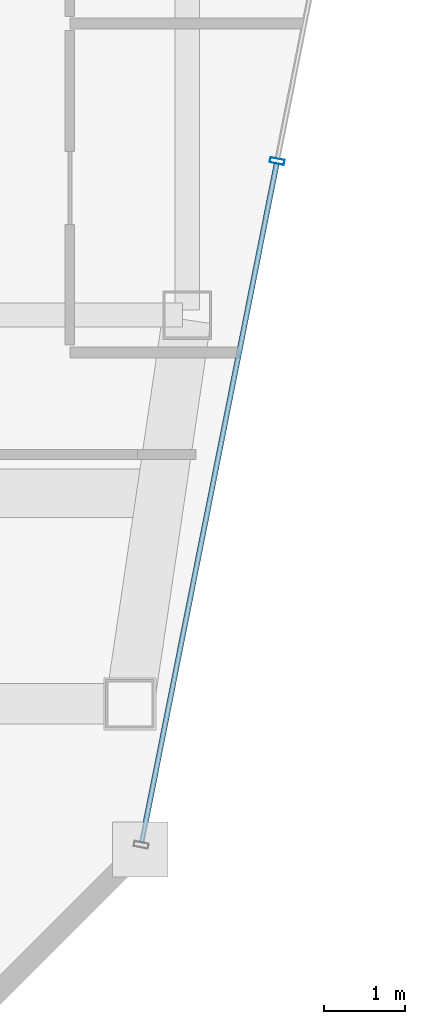
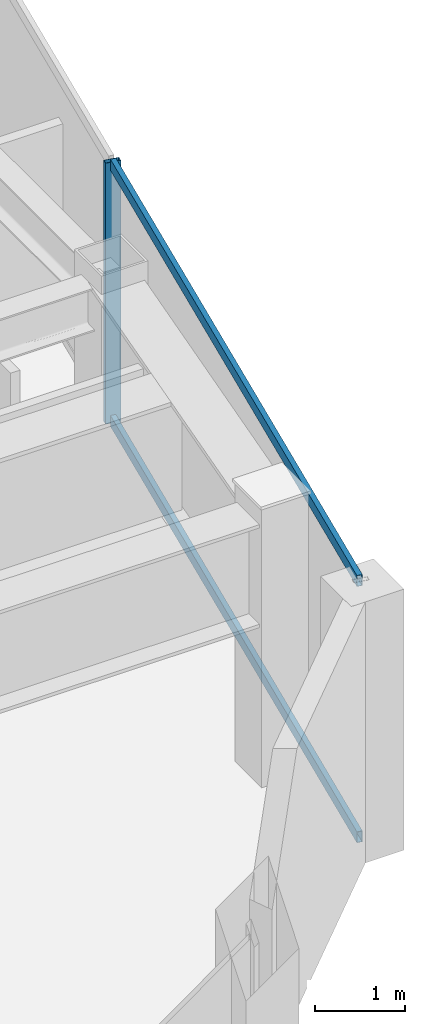
# One storey, part 15 of 24: 3 members, 1 element without a shape of its own.
"""IFC4 building model written with IfcOpenShell, lengths in metres."""

from ifc_helpers import new_model, si_unit, direction, frame, origin, origin_2d, place, context, subcontext, project, spatial, hollow_rectangle, extrude, material, material_profile, profile_set, type_object, element, aggregate, save


model = new_model("IFC4")

# Units and contexts
model_context = context("Model", 3, precision=1e-05, world=origin(), true_north=direction((0.0, 1.0)))
body_context = subcontext(model_context, "Body", "Model", "MODEL_VIEW")
ifc_project = project(units=[si_unit("LENGTHUNIT", "METRE"), si_unit("AREAUNIT", "SQUARE_METRE"), si_unit("VOLUMEUNIT", "CUBIC_METRE"), si_unit("PLANEANGLEUNIT", "RADIAN"), si_unit("MASSUNIT", "GRAM", prefix="KILO")], contexts=[model_context])

# Site, building, storey
site_placement = place(None, origin())
site = spatial("IfcSite", under=ifc_project, at=site_placement, CompositionType="ELEMENT")
building_placement = place(site_placement, origin())
building = spatial("IfcBuilding", under=site, at=building_placement, Name="Saevonmaru Cultural Tower", CompositionType="ELEMENT")
storey_placement = place(building_placement, frame((0.0, 0.0, 306.60009765625)))
storey = spatial("IfcBuildingStorey", under=building, at=storey_placement, Name="L73", CompositionType="ELEMENT", Elevation=306.60009765625)

# Curtain wall, members
ifc_material = material(Name="Satin Bronze Anodised Aluminium", Category="aluminium")
curtain_wall_type = type_object("IfcCurtainWallType", Name="CW-TYP-B", PredefinedType="NOTDEFINED", material=ifc_material)
curtain_wall_placement = place(storey_placement, origin())
curtain_wall = element("IfcCurtainWall", 1, at=curtain_wall_placement, inside=storey, type_object=curtain_wall_type, Name="L73 Unitised Curtain Wall E8", PredefinedType="NOTDEFINED")
ifc_material_profile_1 = material_profile(ifc_material, hollow_rectangle(XDim=0.06494140625, YDim=0.179931640625, WallThickness=0.00390625, at=origin_2d()), Name="ALU-MULL-180x65x4")
ifc_profile_set_1 = profile_set([ifc_material_profile_1], Name="Satin Bronze Anodised Aluminium")
member_type_1 = type_object("IfcMemberType", Name="ML-CW-180x65", PredefinedType="MULLION", material=ifc_profile_set_1)
member_1_placement = place(storey_placement, frame((54.31005859375, 44.300048828125, 0.0), z_axis=(0.0, 0.0, 1.0), x_axis=(0.195005484813, 0.980802151758, 0.0)))
member_1 = element("IfcMember", 2, at=member_1_placement, type_object=member_type_1, Name="CW-TW-L73-E8 mullion 2", PredefinedType="MULLION", context=body_context, shape_type="SweptSolid", body=[
    extrude(hollow_rectangle(XDim=0.06494140625, YDim=0.179931640625, WallThickness=0.00390625, at=origin_2d()), origin(), (0.0, 0.0, 1.0), 3.5498046875),
])
ifc_material_profile_2 = material_profile(ifc_material, hollow_rectangle(XDim=0.06494140625, YDim=0.14990234375, WallThickness=0.00390625, at=origin_2d()), Name="ALU-TRAN-150x65x4")
ifc_profile_set_2 = profile_set([ifc_material_profile_2], Name="Satin Bronze Anodised Aluminium")
member_type_2 = type_object("IfcMemberType", Name="TR-CW-150x65", PredefinedType="USERDEFINED", material=ifc_profile_set_2)
member_2_placement = place(storey_placement, frame((52.637939453125, 35.890625, 0.032470703125), z_axis=(0.195022161716, 0.980798835868, 0.0), x_axis=(-0.980798835868, 0.195022161716, 0.0)))
member_2 = element("IfcMember", 3, at=member_2_placement, type_object=member_type_2, Name="CW-TW-L73-E8 transom 1.1", ObjectType="TRANSOM", PredefinedType="USERDEFINED", context=body_context, shape_type="SweptSolid", body=[
    extrude(hollow_rectangle(XDim=0.06494140625, YDim=0.14990234375, WallThickness=0.00390625, at=origin_2d()), origin(), (0.0, 0.0, 1.0), 8.54150390625),
])
member_3_placement = place(storey_placement, frame((52.637939453125, 35.890625, 3.517333984375), z_axis=(0.195022161716, 0.980798835868, 0.0), x_axis=(-0.980798835868, 0.195022161716, 0.0)))
member_3 = element("IfcMember", 4, at=member_3_placement, type_object=member_type_2, Name="CW-TW-L73-E8 transom 1.2", ObjectType="TRANSOM", PredefinedType="USERDEFINED", context=body_context, shape_type="SweptSolid", body=[
    extrude(hollow_rectangle(XDim=0.06494140625, YDim=0.14990234375, WallThickness=0.00390625, at=origin_2d()), origin(), (0.0, 0.0, 1.0), 8.54150390625),
])
aggregate(curtain_wall, [member_1, member_2, member_3])

save(model, "model.ifc")
